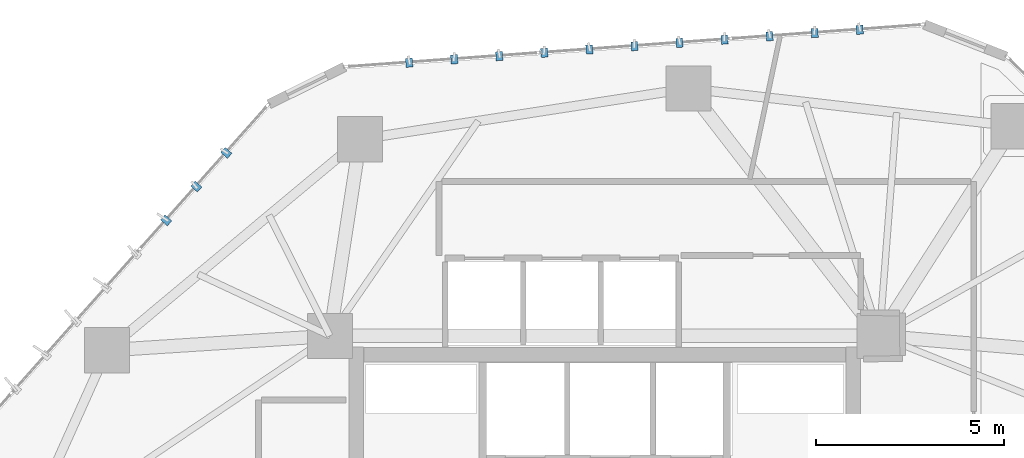
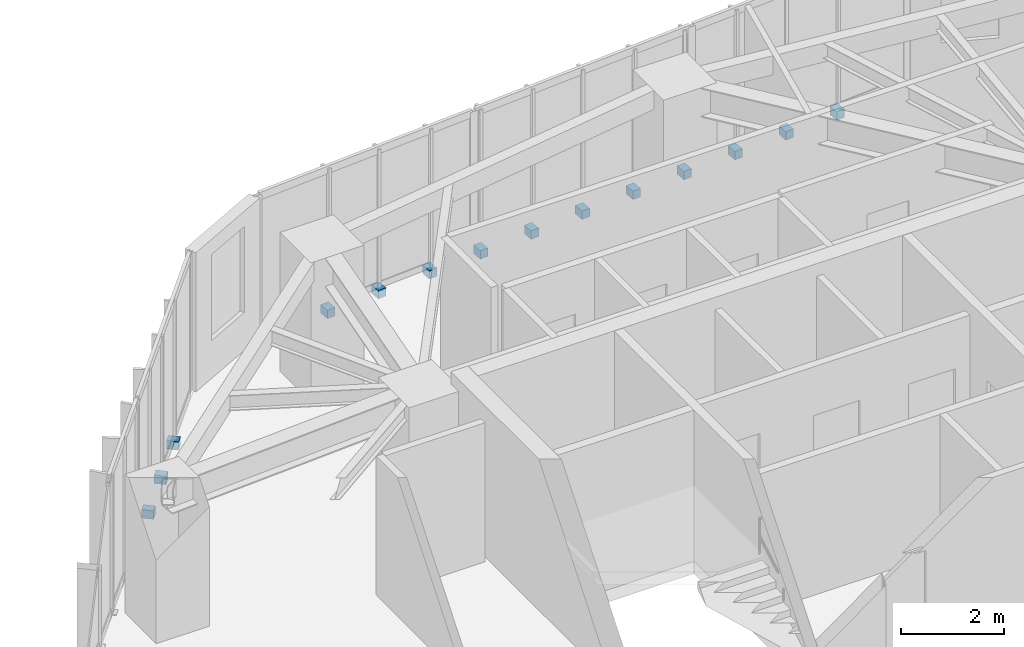
# One storey, part 20 of 23: 14 discrete accessories.
"""IFC4 building model written with IfcOpenShell, lengths in metres."""

import ifcopenshell
import ifcopenshell.guid

model = None  # the IFC model being written
_history = None  # IfcOwnerHistory: only IFC2X3 demands one
_inside = {}  # id of a spatial element -> (the spatial element, [elements in it])
_under = {}  # id of a project, library or spatial element -> (it, [spatial elements below it])
_declared = {}  # id of a project -> (the project, [libraries it declares])
_typed = {}  # id of a type object -> (the type object, [elements of that type])
_made_of = {}  # id of a material, layer set ... -> (it, [elements and type objects made of it])


def new_model(schema):
    """Start an empty IFC model of exactly this schema.

    Asked for "IFC4X3", IfcOpenShell would pick the latest addendum, in which some entities
    have other attributes; the version numbers below select the first issue.
    IFC2X3 requires an IfcOwnerHistory on every rooted entity: one is made here for all.
    """
    global model, _history
    if schema == "IFC4X3":
        model = ifcopenshell.file(schema_version=(4, 3, 0, 0))
    else:
        model = ifcopenshell.file(schema=schema)
    _inside.clear()
    _under.clear()
    _declared.clear()
    _typed.clear()
    _made_of.clear()
    _history = None
    if model.schema == "IFC2X3":
        org = make("IfcOrganization", Name="unknown")
        user = make(
            "IfcPersonAndOrganization",
            ThePerson=make("IfcPerson", FamilyName="unknown"),
            TheOrganization=org,
        )
        app = make(
            "IfcApplication",
            ApplicationDeveloper=org,
            Version="unknown",
            ApplicationFullName="unknown",
            ApplicationIdentifier="unknown",
        )
        _history = make(
            "IfcOwnerHistory",
            OwningUser=user,
            OwningApplication=app,
            ChangeAction="ADDED",
            CreationDate=0,
        )
    return model


def make(cls, **values):
    """One entity of the class cls with the attributes given. An attribute that is None is left unset."""
    return model.create_entity(
        cls, **{name: value for name, value in values.items() if value is not None}
    )


def rooted(cls, **values):
    """An entity with a GlobalId (a new one), such as an element, a storey or a relation."""
    return make(cls, GlobalId=ifcopenshell.guid.new(), OwnerHistory=_history, **values)


def si_unit(unit_type, name, prefix=None):
    """IfcSIUnit, for example si_unit("LENGTHUNIT", "METRE", prefix="MILLI")."""
    return make("IfcSIUnit", UnitType=unit_type, Prefix=prefix, Name=name)


def assignment(units):
    """IfcUnitAssignment: the units of a project."""
    return None if units is None else make("IfcUnitAssignment", Units=units)


def point(xyz):
    """IfcCartesianPoint."""
    return None if xyz is None else make("IfcCartesianPoint", Coordinates=xyz)


def direction(xyz):
    """IfcDirection."""
    return None if xyz is None else make("IfcDirection", DirectionRatios=xyz)


def frame(location, z_axis=None, x_axis=None):
    """IfcAxis2Placement3D, a coordinate frame: its origin and axes. An axis left out is left unset."""
    return make(
        "IfcAxis2Placement3D",
        Location=point(location),
        Axis=direction(z_axis),
        RefDirection=direction(x_axis),
    )


def frame_2d(location, x_axis=None):
    """IfcAxis2Placement2D, a coordinate frame in the plane: its origin and x axis."""
    return make(
        "IfcAxis2Placement2D", Location=point(location), RefDirection=direction(x_axis)
    )


def origin():
    """The frame at (0, 0, 0) with its axes left unset."""
    return frame((0.0, 0.0, 0.0))


def origin_2d():
    """The frame at (0, 0) in the plane with its x axis left unset."""
    return frame_2d((0.0, 0.0))


def place(relative_to, where):
    """IfcLocalPlacement: puts the frame where relative to a parent placement (None: the world)."""
    return make(
        "IfcLocalPlacement", PlacementRelTo=relative_to, RelativePlacement=where
    )


def context(
    kind, dimensions, precision=None, world=None, true_north=None, identifier=None
):
    """IfcGeometricRepresentationContext, for example the 3D "Model" context."""
    return make(
        "IfcGeometricRepresentationContext",
        ContextIdentifier=identifier,
        ContextType=kind,
        CoordinateSpaceDimension=dimensions,
        Precision=precision,
        WorldCoordinateSystem=world,
        TrueNorth=true_north,
    )


def subcontext(parent, identifier, kind, view, scale=None):
    """IfcGeometricRepresentationSubContext, for example "Body" below "Model"."""
    return make(
        "IfcGeometricRepresentationSubContext",
        ContextIdentifier=identifier,
        ContextType=kind,
        ParentContext=parent,
        TargetScale=scale,
        TargetView=view,
    )


def project(units=None, contexts=None):
    """IfcProject with its units and contexts."""
    return rooted(
        "IfcProject",
        Name="project",
        RepresentationContexts=contexts,
        UnitsInContext=assignment(units),
    )


def spatial(cls, under=None, at=None, **own):
    """A site, building, storey or space (cls), placed at a placement, below another one or the project."""
    s = rooted(cls, ObjectPlacement=at, **own)
    if under is not None:
        _under.setdefault(under.id(), (under, []))[1].append(s)
    return s


def profile(cls, at=None, kind="AREA", **sizes):
    """A parametric profile (cls). Its sizes go by their IFC names, for example OverallWidth=200.0."""
    return make(cls, ProfileType=kind, Position=at, **sizes)


def rectangle(**sizes):
    """IfcRectangleProfileDef."""
    return profile("IfcRectangleProfileDef", **sizes)


def extrude(swept, where, along, depth):
    """IfcExtrudedAreaSolid: the profile swept, set in the frame where, extruded along a direction by depth."""
    return make(
        "IfcExtrudedAreaSolid",
        SweptArea=swept,
        Position=where,
        ExtrudedDirection=direction(along),
        Depth=depth,
    )


def shape(context_of_items, identifier, shape_type, items):
    """IfcShapeRepresentation: the items that make up one representation, for example the "Body"."""
    return make(
        "IfcShapeRepresentation",
        ContextOfItems=context_of_items,
        RepresentationIdentifier=identifier,
        RepresentationType=shape_type,
        Items=items,
    )


def source(mapping_origin, context_of_items, identifier, shape_type, items):
    """IfcRepresentationMap: a shape defined once, which mapped items show again and again."""
    return make(
        "IfcRepresentationMap",
        MappingOrigin=mapping_origin,
        MappedRepresentation=shape(context_of_items, identifier, shape_type, items),
    )


def transform(
    local_origin,
    x_axis=None,
    y_axis=None,
    z_axis=None,
    scale=None,
    scale2=None,
    scale3=None,
    uniform=True,
):
    """IfcCartesianTransformationOperator3D, or its non-uniform kind. x_axis, y_axis, z_axis: its Axis1, 2, 3."""
    if uniform:
        return make(
            "IfcCartesianTransformationOperator3D",
            Axis1=direction(x_axis),
            Axis2=direction(y_axis),
            LocalOrigin=point(local_origin),
            Scale=scale,
            Axis3=direction(z_axis),
        )
    return make(
        "IfcCartesianTransformationOperator3DnonUniform",
        Axis1=direction(x_axis),
        Axis2=direction(y_axis),
        LocalOrigin=point(local_origin),
        Scale=scale,
        Axis3=direction(z_axis),
        Scale2=scale2,
        Scale3=scale3,
    )


def mapped(mapping_source, mapping_target):
    """IfcMappedItem: shows the shape of a source again, moved by a transform."""
    return make(
        "IfcMappedItem", MappingSource=mapping_source, MappingTarget=mapping_target
    )


def material(Name=None, Category=None):
    """IfcMaterial."""
    return make("IfcMaterial", Name=Name, Category=Category)


def made_of(thing, what):
    """Note that an element or type object is made of a material, layer set ...; save() writes the relation."""
    if what is not None:
        _made_of.setdefault(what.id(), (what, []))[1].append(thing)
    return thing


def type_object(cls, material=None, **own):
    """A type object (cls), such as IfcWallType, which elements share."""
    return made_of(rooted(cls, **own), material)


def type_shapes(of_type, sources):
    """Give a type object the sources (RepresentationMaps) that its elements show as mapped items."""
    of_type.RepresentationMaps = sources


def element(
    cls,
    number,
    at=None,
    inside=None,
    cuts=None,
    type_object=None,
    material=None,
    context=None,
    identifier="Body",
    shape_type=None,
    held_by="IfcProductDefinitionShape",
    body=None,
    shapes=None,
    **own,
):
    """One element of the class cls, such as IfcWall. Its Tag is "e" and its number.

    at: its placement. inside: the storey or other place that contains it. cuts: it is an
    opening in that element (IfcRelVoidsElement). A single representation is given by context,
    identifier, shape_type and body (its items); several are given by shapes. held_by: the class
    of the entity that holds the representations. save() writes the other relations.
    """
    e = rooted(cls, Tag="e%d" % number, ObjectPlacement=at, **own)
    if body is not None:
        shapes = [shape(context, identifier, shape_type, body)]
    if shapes is not None:
        e.Representation = make(held_by, Representations=shapes)
    if inside is not None:
        _inside.setdefault(inside.id(), (inside, []))[1].append(e)
    if cuts is not None:
        rooted(
            "IfcRelVoidsElement", RelatingBuildingElement=cuts, RelatedOpeningElement=e
        )
    if type_object is not None:
        _typed.setdefault(type_object.id(), (type_object, []))[1].append(e)
    return made_of(e, material)


def aggregate(whole, parts):
    """IfcRelAggregates: a whole, such as a stair, and the parts it consists of."""
    return rooted("IfcRelAggregates", RelatingObject=whole, RelatedObjects=parts)


def save(model, path):
    """Write the relations noted so far, then the file.

    IfcRelAggregates (storeys below a building ...), IfcRelContainedInSpatialStructure (elements
    in a storey), IfcRelDefinesByType, IfcRelAssociatesMaterial and IfcRelDeclares: one each for
    every whole, place, type object, material and project.
    """
    for whole, parts in _under.values():
        aggregate(whole, parts)
    for where, things in _inside.values():
        rooted(
            "IfcRelContainedInSpatialStructure",
            RelatedElements=things,
            RelatingStructure=where,
        )
    for kind, things in _typed.values():
        rooted("IfcRelDefinesByType", RelatedObjects=things, RelatingType=kind)
    for what, things in _made_of.values():
        rooted("IfcRelAssociatesMaterial", RelatedObjects=things, RelatingMaterial=what)
    for by, libraries in _declared.values():
        rooted("IfcRelDeclares", RelatingContext=by, RelatedDefinitions=libraries)
    model.write(path)


model = new_model("IFC4")

# Units and contexts
model_context = context("Model", 3, precision=1e-05, world=origin(), true_north=direction((0.0, 1.0)))
body_context = subcontext(model_context, "Body", "Model", "MODEL_VIEW")
ifc_project = project(units=[si_unit("LENGTHUNIT", "METRE"), si_unit("AREAUNIT", "SQUARE_METRE"), si_unit("VOLUMEUNIT", "CUBIC_METRE"), si_unit("PLANEANGLEUNIT", "RADIAN"), si_unit("MASSUNIT", "GRAM", prefix="KILO")], contexts=[model_context])

# Site, building, storey
site_placement = place(None, origin())
site = spatial("IfcSite", under=ifc_project, at=site_placement, CompositionType="ELEMENT")
building_placement = place(site_placement, origin())
building = spatial("IfcBuilding", under=site, at=building_placement, Name="Talar Marvaseh", CompositionType="ELEMENT")
storey_placement = place(building_placement, frame((0.0, 0.0, 103.800048828125)))
storey = spatial("IfcBuildingStorey", under=building, at=storey_placement, Name="L26", CompositionType="ELEMENT", Elevation=103.800048828125)

# Discrete accessories
ifc_material = material(Name="Stainless Steel Grade 316", Category="steel")
discrete_accessory_type = type_object("IfcDiscreteAccessoryType", Name="Stainless Slab-Edge Fin Mounting Bracket", PredefinedType="BRACKET", material=ifc_material)
shared_shape = source(origin(), body_context, "Body", "SweptSolid", [
    extrude(rectangle(XDim=0.239990234375, YDim=0.179931640625, at=origin_2d()), origin(), (0.0, 0.0, 1.0), 0.199951171875),
])
type_shapes(discrete_accessory_type, [shared_shape])
for number, where, z_axis, x_axis, name in (
    (1, (14.350830078125, 39.969482421875, -0.18017578125), (0.0, 0.0, 1.0), (-0.746870345992, 0.664969688239, 0.0), "L26 Vertical Fin Slab-Edge Bracket"),
    (2, (15.14892578125, 40.86572265625, -0.18017578125), (0.0, 0.0, 1.0), (-0.746870345992, 0.664969688239, 0.0), "L26 Vertical Fin Slab-Edge Bracket"),
    (3, (15.947021484375, 41.761962890625, -0.18017578125), (0.0, 0.0, 1.0), (-0.746870345992, 0.664969688239, 0.0), "L26 Vertical Fin Slab-Edge Bracket"),
    (4, (20.80517578125, 44.15771484375, -0.18017578125), (0.0, 0.0, 1.0), (-0.072890064247, 0.997339981418, 0.0), "L26 Vertical Fin Slab-Edge Bracket"),
    (5, (22.001953125, 44.2451171875, -0.18017578125), (0.0, 0.0, 1.0), (-0.072890064247, 0.997339981418, 0.0), "L26 Vertical Fin Slab-Edge Bracket"),
    (6, (23.19873046875, 44.332763671875, -0.18017578125), (0.0, 0.0, 1.0), (-0.072890064247, 0.997339981418, 0.0), "L26 Vertical Fin Slab-Edge Bracket"),
    (7, (24.3955078125, 44.42041015625, -0.18017578125), (0.0, 0.0, 1.0), (-0.072890064247, 0.997339981418, 0.0), "L26 Vertical Fin Slab-Edge Bracket"),
    (8, (25.59228515625, 44.5078125, -0.18017578125), (0.0, 0.0, 1.0), (-0.072890064247, 0.997339981418, 0.0), "L26 Vertical Fin Slab-Edge Bracket"),
    (9, (26.789306640625, 44.59521484375, -0.18017578125), (0.0, 0.0, 1.0), (-0.072890064247, 0.997339981418, 0.0), "L26 Vertical Fin Slab-Edge Bracket"),
    (10, (27.986083984375, 44.682861328125, -0.18017578125), (0.0, 0.0, 1.0), (-0.072890064247, 0.997339981418, 0.0), "L26 Vertical Fin Slab-Edge Bracket"),
    (11, (29.182861328125, 44.770263671875, -0.18017578125), (0.0, 0.0, 1.0), (-0.072890064247, 0.997339981418, 0.0), "L26 Vertical Fin Slab-Edge Bracket"),
    (12, (30.379638671875, 44.85791015625, -0.18017578125), (0.0, 0.0, 1.0), (-0.072890064247, 0.997339981418, 0.0), "L26 Vertical Fin Slab-Edge Bracket"),
    (13, (31.576416015625, 44.9453125, -0.18017578125), (0.0, 0.0, 1.0), (-0.072890064247, 0.997339981418, 0.0), "L26 Vertical Fin Slab-Edge Bracket"),
    (14, (32.773193359375, 45.032958984375, -0.18017578125), (0.0, 0.0, 1.0), (-0.072890064247, 0.997339981418, 0.0), "L26 Vertical Fin Slab-Edge Bracket"),
):
    element("IfcDiscreteAccessory", number, at=place(storey_placement, frame(where, z_axis=z_axis, x_axis=x_axis)), inside=storey, type_object=discrete_accessory_type, Name=name, PredefinedType="BRACKET", context=body_context, shape_type="MappedRepresentation", body=[
        mapped(shared_shape, transform((0.0, 0.0, 0.0), x_axis=(1.0, 0.0, 0.0), y_axis=(0.0, 1.0, 0.0), z_axis=(0.0, 0.0, 1.0), scale=1.0)),
    ])

save(model, "model.ifc")
